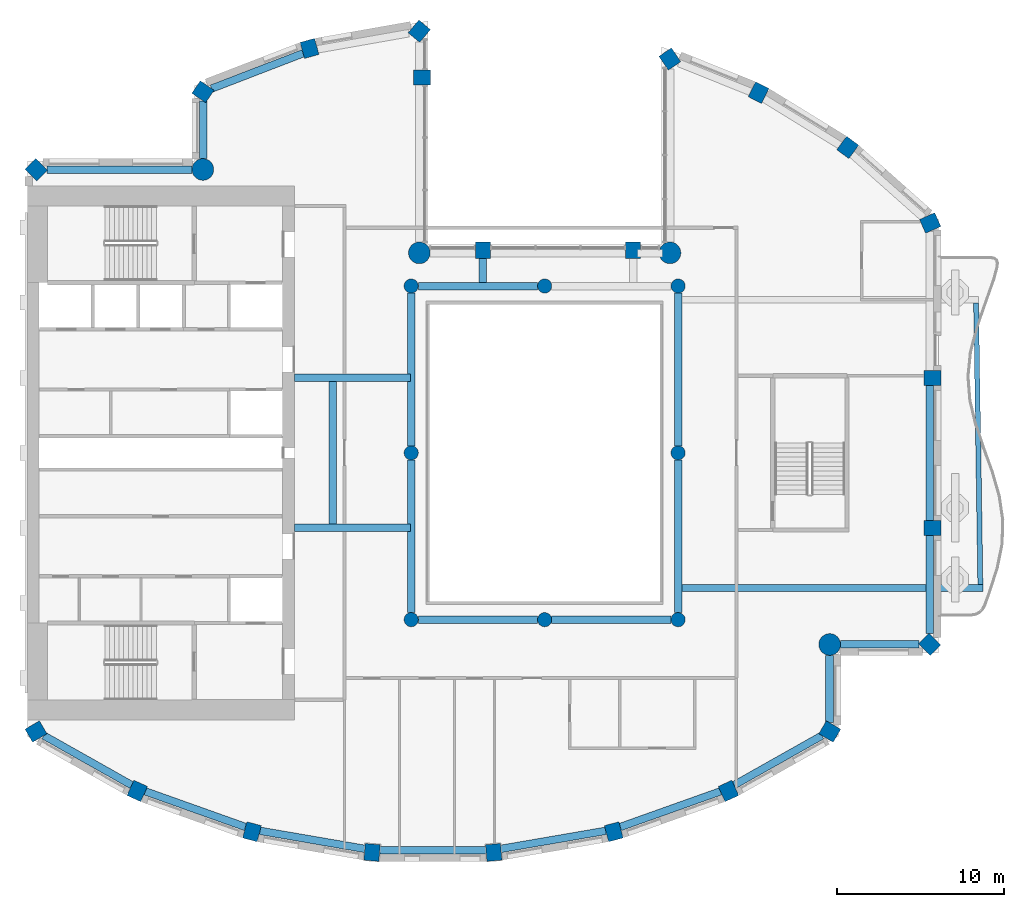
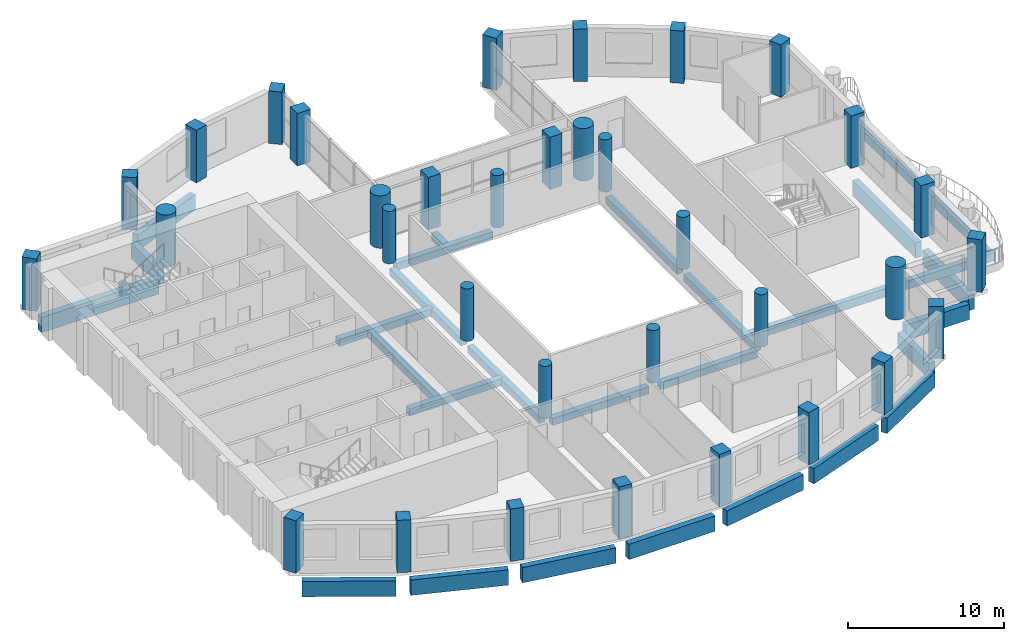
# One storey, part 1 of 14: 34 columns, 27 beams.
"""IFC4 building model written with IfcOpenShell, lengths in metres."""

import ifcopenshell
import ifcopenshell.guid

model = None  # the IFC model being written
_history = None  # IfcOwnerHistory: only IFC2X3 demands one
_inside = {}  # id of a spatial element -> (the spatial element, [elements in it])
_under = {}  # id of a project, library or spatial element -> (it, [spatial elements below it])
_declared = {}  # id of a project -> (the project, [libraries it declares])
_typed = {}  # id of a type object -> (the type object, [elements of that type])
_made_of = {}  # id of a material, layer set ... -> (it, [elements and type objects made of it])


def new_model(schema):
    """Start an empty IFC model of exactly this schema.

    Asked for "IFC4X3", IfcOpenShell would pick the latest addendum, in which some entities
    have other attributes; the version numbers below select the first issue.
    IFC2X3 requires an IfcOwnerHistory on every rooted entity: one is made here for all.
    """
    global model, _history
    if schema == "IFC4X3":
        model = ifcopenshell.file(schema_version=(4, 3, 0, 0))
    else:
        model = ifcopenshell.file(schema=schema)
    _inside.clear()
    _under.clear()
    _declared.clear()
    _typed.clear()
    _made_of.clear()
    _history = None
    if model.schema == "IFC2X3":
        org = make("IfcOrganization", Name="unknown")
        user = make(
            "IfcPersonAndOrganization",
            ThePerson=make("IfcPerson", FamilyName="unknown"),
            TheOrganization=org,
        )
        app = make(
            "IfcApplication",
            ApplicationDeveloper=org,
            Version="unknown",
            ApplicationFullName="unknown",
            ApplicationIdentifier="unknown",
        )
        _history = make(
            "IfcOwnerHistory",
            OwningUser=user,
            OwningApplication=app,
            ChangeAction="ADDED",
            CreationDate=0,
        )
    return model


def make(cls, **values):
    """One entity of the class cls with the attributes given. An attribute that is None is left unset."""
    return model.create_entity(
        cls, **{name: value for name, value in values.items() if value is not None}
    )


def rooted(cls, **values):
    """An entity with a GlobalId (a new one), such as an element, a storey or a relation."""
    return make(cls, GlobalId=ifcopenshell.guid.new(), OwnerHistory=_history, **values)


def si_unit(unit_type, name, prefix=None):
    """IfcSIUnit, for example si_unit("LENGTHUNIT", "METRE", prefix="MILLI")."""
    return make("IfcSIUnit", UnitType=unit_type, Prefix=prefix, Name=name)


def assignment(units):
    """IfcUnitAssignment: the units of a project."""
    return None if units is None else make("IfcUnitAssignment", Units=units)


def point(xyz):
    """IfcCartesianPoint."""
    return None if xyz is None else make("IfcCartesianPoint", Coordinates=xyz)


def direction(xyz):
    """IfcDirection."""
    return None if xyz is None else make("IfcDirection", DirectionRatios=xyz)


def frame(location, z_axis=None, x_axis=None):
    """IfcAxis2Placement3D, a coordinate frame: its origin and axes. An axis left out is left unset."""
    return make(
        "IfcAxis2Placement3D",
        Location=point(location),
        Axis=direction(z_axis),
        RefDirection=direction(x_axis),
    )


def frame_2d(location, x_axis=None):
    """IfcAxis2Placement2D, a coordinate frame in the plane: its origin and x axis."""
    return make(
        "IfcAxis2Placement2D", Location=point(location), RefDirection=direction(x_axis)
    )


def origin():
    """The frame at (0, 0, 0) with its axes left unset."""
    return frame((0.0, 0.0, 0.0))


def origin_2d():
    """The frame at (0, 0) in the plane with its x axis left unset."""
    return frame_2d((0.0, 0.0))


def place(relative_to, where):
    """IfcLocalPlacement: puts the frame where relative to a parent placement (None: the world)."""
    return make(
        "IfcLocalPlacement", PlacementRelTo=relative_to, RelativePlacement=where
    )


def context(
    kind, dimensions, precision=None, world=None, true_north=None, identifier=None
):
    """IfcGeometricRepresentationContext, for example the 3D "Model" context."""
    return make(
        "IfcGeometricRepresentationContext",
        ContextIdentifier=identifier,
        ContextType=kind,
        CoordinateSpaceDimension=dimensions,
        Precision=precision,
        WorldCoordinateSystem=world,
        TrueNorth=true_north,
    )


def subcontext(parent, identifier, kind, view, scale=None):
    """IfcGeometricRepresentationSubContext, for example "Body" below "Model"."""
    return make(
        "IfcGeometricRepresentationSubContext",
        ContextIdentifier=identifier,
        ContextType=kind,
        ParentContext=parent,
        TargetScale=scale,
        TargetView=view,
    )


def project(units=None, contexts=None):
    """IfcProject with its units and contexts."""
    return rooted(
        "IfcProject",
        Name="project",
        RepresentationContexts=contexts,
        UnitsInContext=assignment(units),
    )


def spatial(cls, under=None, at=None, **own):
    """A site, building, storey or space (cls), placed at a placement, below another one or the project."""
    s = rooted(cls, ObjectPlacement=at, **own)
    if under is not None:
        _under.setdefault(under.id(), (under, []))[1].append(s)
    return s


def profile(cls, at=None, kind="AREA", **sizes):
    """A parametric profile (cls). Its sizes go by their IFC names, for example OverallWidth=200.0."""
    return make(cls, ProfileType=kind, Position=at, **sizes)


def rectangle(**sizes):
    """IfcRectangleProfileDef."""
    return profile("IfcRectangleProfileDef", **sizes)


def circle(**sizes):
    """IfcCircleProfileDef."""
    return profile("IfcCircleProfileDef", **sizes)


def extrude(swept, where, along, depth):
    """IfcExtrudedAreaSolid: the profile swept, set in the frame where, extruded along a direction by depth."""
    return make(
        "IfcExtrudedAreaSolid",
        SweptArea=swept,
        Position=where,
        ExtrudedDirection=direction(along),
        Depth=depth,
    )


def shape(context_of_items, identifier, shape_type, items):
    """IfcShapeRepresentation: the items that make up one representation, for example the "Body"."""
    return make(
        "IfcShapeRepresentation",
        ContextOfItems=context_of_items,
        RepresentationIdentifier=identifier,
        RepresentationType=shape_type,
        Items=items,
    )


def material(Name=None, Category=None):
    """IfcMaterial."""
    return make("IfcMaterial", Name=Name, Category=Category)


def material_profile(
    of_material, cross_section, Name=None, Category=None, Priority=None
):
    """IfcMaterialProfile: a cross section and its material."""
    return make(
        "IfcMaterialProfile",
        Name=Name,
        Material=of_material,
        Profile=cross_section,
        Priority=Priority,
        Category=Category,
    )


def profile_set(profiles, Name=None, composite=None):
    """IfcMaterialProfileSet."""
    return make(
        "IfcMaterialProfileSet",
        Name=Name,
        MaterialProfiles=profiles,
        CompositeProfile=composite,
    )


def made_of(thing, what):
    """Note that an element or type object is made of a material, layer set ...; save() writes the relation."""
    if what is not None:
        _made_of.setdefault(what.id(), (what, []))[1].append(thing)
    return thing


def type_object(cls, material=None, **own):
    """A type object (cls), such as IfcWallType, which elements share."""
    return made_of(rooted(cls, **own), material)


def element(
    cls,
    number,
    at=None,
    inside=None,
    cuts=None,
    type_object=None,
    material=None,
    context=None,
    identifier="Body",
    shape_type=None,
    held_by="IfcProductDefinitionShape",
    body=None,
    shapes=None,
    **own,
):
    """One element of the class cls, such as IfcWall. Its Tag is "e" and its number.

    at: its placement. inside: the storey or other place that contains it. cuts: it is an
    opening in that element (IfcRelVoidsElement). A single representation is given by context,
    identifier, shape_type and body (its items); several are given by shapes. held_by: the class
    of the entity that holds the representations. save() writes the other relations.
    """
    e = rooted(cls, Tag="e%d" % number, ObjectPlacement=at, **own)
    if body is not None:
        shapes = [shape(context, identifier, shape_type, body)]
    if shapes is not None:
        e.Representation = make(held_by, Representations=shapes)
    if inside is not None:
        _inside.setdefault(inside.id(), (inside, []))[1].append(e)
    if cuts is not None:
        rooted(
            "IfcRelVoidsElement", RelatingBuildingElement=cuts, RelatedOpeningElement=e
        )
    if type_object is not None:
        _typed.setdefault(type_object.id(), (type_object, []))[1].append(e)
    return made_of(e, material)


def aggregate(whole, parts):
    """IfcRelAggregates: a whole, such as a stair, and the parts it consists of."""
    return rooted("IfcRelAggregates", RelatingObject=whole, RelatedObjects=parts)


def save(model, path):
    """Write the relations noted so far, then the file.

    IfcRelAggregates (storeys below a building ...), IfcRelContainedInSpatialStructure (elements
    in a storey), IfcRelDefinesByType, IfcRelAssociatesMaterial and IfcRelDeclares: one each for
    every whole, place, type object, material and project.
    """
    for whole, parts in _under.values():
        aggregate(whole, parts)
    for where, things in _inside.values():
        rooted(
            "IfcRelContainedInSpatialStructure",
            RelatedElements=things,
            RelatingStructure=where,
        )
    for kind, things in _typed.values():
        rooted("IfcRelDefinesByType", RelatedObjects=things, RelatingType=kind)
    for what, things in _made_of.values():
        rooted("IfcRelAssociatesMaterial", RelatedObjects=things, RelatingMaterial=what)
    for by, libraries in _declared.values():
        rooted("IfcRelDeclares", RelatingContext=by, RelatedDefinitions=libraries)
    model.write(path)


model = new_model("IFC4")

# Units and contexts
model_context = context("Model", 3, precision=1e-05, world=origin(), true_north=direction((0.0, 1.0)))
body_context = subcontext(model_context, "Body", "Model", "MODEL_VIEW")
ifc_project = project(units=[si_unit("LENGTHUNIT", "METRE"), si_unit("AREAUNIT", "SQUARE_METRE"), si_unit("VOLUMEUNIT", "CUBIC_METRE"), si_unit("PLANEANGLEUNIT", "RADIAN"), si_unit("MASSUNIT", "GRAM", prefix="KILO")], contexts=[model_context])

# Site, building, storey
site_placement = place(None, origin())
site = spatial("IfcSite", under=ifc_project, at=site_placement, CompositionType="ELEMENT")
building_placement = place(site_placement, origin())
building = spatial("IfcBuilding", under=site, at=building_placement, Name="Cypress Arch Tower", CompositionType="ELEMENT")
storey_placement = place(building_placement, frame((0.0, 0.0, 263.89990234375)))
storey = spatial("IfcBuildingStorey", under=building, at=storey_placement, Name="L59", CompositionType="ELEMENT", Elevation=263.89990234375)

# Columns
ifc_material_1 = material(Name="Concrete C60/75", Category="concrete")
ifc_material_profile_1 = material_profile(ifc_material_1, rectangle(XDim=0.89990234375, YDim=1.0, at=origin_2d()), Name="RC 900x1000")
ifc_profile_set_1 = profile_set([ifc_material_profile_1], Name="Concrete C60/75")
column_type_1 = type_object("IfcColumnType", Name="Column RC 900x1000 Concrete C60/75", PredefinedType="COLUMN", material=ifc_profile_set_1)
for number, where, z_axis, x_axis, name in (
    (1, (8.5029296875, 23.606201171875, 0.0), (0.0, 0.0, 1.0), (-0.828469606019, -0.560034027451, 0.0), "Column L59 CC00"),
    (2, (6.300048828125, 12.14990234375, 0.0), (0.0, 0.0, 1.0), (-1.0, 0.0, 0.0), "Column L59 CC02"),
    (3, (-2.699951171875, 12.14990234375, 0.0), (0.0, 0.0, 1.0), (-1.0, 0.0, 0.0), "Column L59 CC03"),
    (4, (-6.35009765625, 22.5, 0.0), (0.0, 0.0, 1.0), (0.0, 1.0, 0.0), "Column L59 CC05"),
    (5, (-6.51611328125, 25.27490234375, 0.0), (0.0, 0.0, 1.0), (-0.766063514674, 0.642764880407, 0.0), "Column L59 CC06"),
    (6, (-13.0947265625, 24.241455078125, 0.0), (0.0, 0.0, 1.0), (-0.96345574646, -0.267867550506, 0.0), "Column L59 CC07"),
    (7, (-19.483154296875, 21.645263671875, 0.0), (0.0, 0.0, 1.0), (-0.565892599589, -0.824478966215, 0.0), "Column L59 CC08"),
    (8, (-29.478271484375, 16.978271484375, 0.0), (0.0, 0.0, 1.0), (-0.707106781187, -0.707106781187, 0.0), "Column L59 CC10"),
    (9, (-29.4912109375, -16.702880859375, 0.0), (0.0, 0.0, 1.0), (0.504399289829, -0.86347053014, 0.0), "Column L59 CC11"),
    (10, (-23.4189453125, -20.266845703125, 0.0), (0.0, 0.0, 1.0), (0.909932071487, -0.414757308891, 0.0), "Column L59 CC12"),
    (11, (-16.541748046875, -22.714599609375, 0.0), (0.0, 0.0, 1.0), (0.96735573689, -0.2534223319, 0.0), "Column L59 CC13"),
    (12, (-9.346923828125, -23.95361328125, 0.0), (0.0, 0.0, 1.0), (0.996368206733, -0.085149260784, 0.0), "Column L59 CC14"),
    (13, (-2.052978515625, -23.95361328125, 0.0), (0.0, 0.0, 1.0), (0.996368206733, 0.085149260784, 0.0), "Column L59 CC15"),
    (14, (5.1416015625, -22.714599609375, 0.0), (0.0, 0.0, 1.0), (0.96735573689, 0.2534223319, 0.0), "Column L59 CC16"),
    (15, (12.01904296875, -20.266845703125, 0.0), (0.0, 0.0, 1.0), (0.909932071487, 0.414757308891, 0.0), "Column L59 CC17"),
    (16, (18.09130859375, -16.702880859375, 0.0), (0.0, 0.0, 1.0), (0.504399289829, 0.86347053014, 0.0), "Column L59 CC18"),
    (17, (24.078369140625, -11.478271484375, 0.0), (0.0, 0.0, 1.0), (0.707106781187, 0.707106781187, 0.0), "Column L59 CC20"),
    (18, (24.25, -4.5, 0.0), (0.0, 0.0, 1.0), (0.0, 1.0, 0.0), "Column L59 CC21"),
    (19, (24.25, 4.5, 0.0), (0.0, 0.0, 1.0), (0.0, 1.0, 0.0), "Column L59 CC22"),
    (20, (24.109619140625, 13.77978515625, 0.0), (0.0, 0.0, 1.0), (-0.409765058504, 0.912191096662, 0.0), "Column L59 CC23"),
    (21, (19.168212890625, 18.307861328125, 0.0), (0.0, 0.0, 1.0), (-0.802798546114, 0.596250362144, 0.0), "Column L59 CC24"),
    (22, (13.82568359375, 21.59375, 0.0), (0.0, 0.0, 1.0), (-0.893106499805, 0.44984528452, 0.0), "Column L59 CC25"),
):
    element("IfcColumn", number, at=place(storey_placement, frame(where, z_axis=z_axis, x_axis=x_axis)), inside=storey, type_object=column_type_1, Name=name, PredefinedType="COLUMN", context=body_context, shape_type="SweptSolid", body=[
        extrude(rectangle(XDim=0.89990234375, YDim=1.0, at=origin_2d()), origin(), (0.0, 0.0, 1.0), 4.10009765625),
    ])
ifc_material_2 = material(Name="Concrete C60/75", Category="concrete")
ifc_material_profile_2 = material_profile(ifc_material_2, circle(Radius=0.425048828125, at=origin_2d()), Name="RC D850")
ifc_profile_set_2 = profile_set([ifc_material_profile_2], Name="Concrete C60/75")
column_type_2 = type_object("IfcColumnType", Name="Column RC D850 Concrete C60/75", PredefinedType="COLUMN", material=ifc_profile_set_2)
for number, where, z_axis, x_axis, name in (
    (23, (-7.0, -10.0, 0.0), (0.0, 0.0, 1.0), (1.0, 0.0, 0.0), "Column L59 RNG-L59-G-7-10"),
    (24, (-7.0, 0.0, 0.0), (0.0, 0.0, 1.0), (1.0, 0.0, 0.0), "Column L59 RNG-L59-G-7+0"),
    (25, (-7.0, 10.0, 0.0), (0.0, 0.0, 1.0), (1.0, 0.0, 0.0), "Column L59 RNG-L59-G-7+10"),
    (26, (1.0, -10.0, 0.0), (0.0, 0.0, 1.0), (1.0, 0.0, 0.0), "Column L59 RNG-L59-G+1-10"),
    (27, (1.0, 10.0, 0.0), (0.0, 0.0, 1.0), (1.0, 0.0, 0.0), "Column L59 RNG-L59-G+1+10"),
    (28, (9.0, -10.0, 0.0), (0.0, 0.0, 1.0), (1.0, 0.0, 0.0), "Column L59 RNG-L59-G+9-10"),
    (29, (9.0, 0.0, 0.0), (0.0, 0.0, 1.0), (1.0, 0.0, 0.0), "Column L59 RNG-L59-G+9+0"),
    (30, (9.0, 10.0, 0.0), (0.0, 0.0, 1.0), (1.0, 0.0, 0.0), "Column L59 RNG-L59-G+9+10"),
):
    element("IfcColumn", number, at=place(storey_placement, frame(where, z_axis=z_axis, x_axis=x_axis)), inside=storey, type_object=column_type_2, Name=name, PredefinedType="COLUMN", context=body_context, shape_type="SweptSolid", body=[
        extrude(circle(Radius=0.425048828125, at=origin_2d()), origin(), (0.0, 0.0, 1.0), 4.10009765625),
    ])
ifc_material_3 = material(Name="Concrete C60/75", Category="concrete")
ifc_material_profile_3 = material_profile(ifc_material_3, circle(Radius=0.64990234375, at=origin_2d()), Name="RC D1300")
ifc_profile_set_3 = profile_set([ifc_material_profile_3], Name="Concrete C60/75")
column_type_3 = type_object("IfcColumnType", Name="Mega-column RC D1300 Concrete C60/75", PredefinedType="COLUMN", material=ifc_profile_set_3)
for number, where, z_axis, x_axis, name in (
    (31, (8.51220703125, 11.98779296875, 0.0), (0.0, 0.0, 1.0), (1.0, 0.0, 0.0), "Column L59 CC01"),
    (32, (-6.51220703125, 11.98779296875, 0.0), (0.0, 0.0, 1.0), (1.0, 0.0, 0.0), "Column L59 CC04"),
    (33, (-19.48779296875, 16.98779296875, 0.0), (0.0, 0.0, 1.0), (1.0, 0.0, 0.0), "Column L59 CC09"),
    (34, (18.087890625, -11.48779296875, 0.0), (0.0, 0.0, 1.0), (1.0, 0.0, 0.0), "Column L59 CC19"),
):
    element("IfcColumn", number, at=place(storey_placement, frame(where, z_axis=z_axis, x_axis=x_axis)), inside=storey, type_object=column_type_3, Name=name, PredefinedType="COLUMN", context=body_context, shape_type="SweptSolid", body=[
        extrude(circle(Radius=0.64990234375, at=origin_2d()), origin(), (0.0, 0.0, 1.0), 4.10009765625),
    ])

# Beams
ifc_material_4 = material(Name="Concrete C50/60", Category="concrete")
ifc_material_profile_4 = material_profile(ifc_material_4, rectangle(XDim=0.300048828125, YDim=0.64990234375, at=origin_2d()), Name="RC 300x650")
ifc_profile_set_4 = profile_set([ifc_material_profile_4], Name="Concrete C50/60")
beam_type_1 = type_object("IfcBeamType", Name="Balcony edge beam RC 300x650 Concrete C50/60", PredefinedType="BEAM", material=ifc_profile_set_4)
beam_1_placement = place(storey_placement, frame((27.117431640625, -7.89990234375, -0.625), z_axis=(-0.015037850532, 0.999886925133, 0.0), x_axis=(-0.999886925133, -0.015037850532, 0.0)))
element("IfcBeam", 35, at=beam_1_placement, inside=storey, type_object=beam_type_1, Name="Balcony edge beam L59 C17", PredefinedType="BEAM", context=body_context, shape_type="SweptSolid", body=[
    extrude(rectangle(XDim=0.300048828125, YDim=0.64990234375, at=origin_2d()), origin(), (0.0, 0.0, 1.0), 16.884521484375),
])
ifc_material_5 = material(Name="Concrete C50/60", Category="concrete")
ifc_material_profile_5 = material_profile(ifc_material_5, rectangle(XDim=0.39990234375, YDim=0.64990234375, at=origin_2d()), Name="RC 400x650")
ifc_profile_set_5 = profile_set([ifc_material_profile_5], Name="Concrete C50/60")
beam_type_2 = type_object("IfcBeamType", Name="Cantilever beam RC 400x650 Concrete C50/60", PredefinedType="BEAM", material=ifc_profile_set_5)
beam_2_placement = place(storey_placement, frame((9.22509765625, -8.10009765625, -0.625), z_axis=(1.0, 0.0, 0.0), x_axis=(0.0, 1.0, 0.0)))
element("IfcBeam", 36, at=beam_2_placement, inside=storey, type_object=beam_type_2, Name="Cantilever beam L59 C17 1", PredefinedType="BEAM", context=body_context, shape_type="SweptSolid", body=[
    extrude(rectangle(XDim=0.39990234375, YDim=0.64990234375, at=origin_2d()), origin(), (0.0, 0.0, 1.0), 18.04248046875),
])
ifc_material_6 = material(Name="Concrete C50/60", Category="concrete")
ifc_material_profile_6 = material_profile(ifc_material_6, rectangle(XDim=0.449951171875, YDim=0.550048828125, at=origin_2d()), Name="RC 450x550")
ifc_profile_set_6 = profile_set([ifc_material_profile_6], Name="Concrete C50/60")
beam_type_3 = type_object("IfcBeamType", Name="Floor beam RC 450x550 Concrete C50/60", PredefinedType="BEAM", material=ifc_profile_set_6)
for number, where, z_axis, x_axis, name in (
    (37, (-7.0, -9.574951171875, -0.574951171875), (0.0, 1.0, 0.0), (-1.0, 0.0, 0.0), "Floor beam L59 RB001"),
    (38, (-7.0, 0.425048828125, -0.574951171875), (0.0, 1.0, 0.0), (-1.0, 0.0, 0.0), "Floor beam L59 RB002"),
    (39, (9.0, -9.574951171875, -0.574951171875), (0.0, 1.0, 0.0), (-1.0, 0.0, 0.0), "Floor beam L59 RB003"),
    (40, (9.0, 0.425048828125, -0.574951171875), (0.0, 1.0, 0.0), (-1.0, 0.0, 0.0), "Floor beam L59 RB004"),
):
    element("IfcBeam", number, at=place(storey_placement, frame(where, z_axis=z_axis, x_axis=x_axis)), inside=storey, type_object=beam_type_3, Name=name, PredefinedType="BEAM", context=body_context, shape_type="SweptSolid", body=[
        extrude(rectangle(XDim=0.449951171875, YDim=0.550048828125, at=origin_2d()), origin(), (0.0, 0.0, 1.0), 9.14990234375),
    ])
for number, where, z_axis, x_axis, name in (
    (41, (-6.574951171875, -10.0, -0.574951171875), (1.0, 0.0, 0.0), (0.0, 1.0, 0.0), "Floor beam L59 RB005"),
    (42, (1.425048828125, -10.0, -0.574951171875), (1.0, 0.0, 0.0), (0.0, 1.0, 0.0), "Floor beam L59 RB006"),
    (43, (-6.574951171875, 10.0, -0.574951171875), (1.0, 0.0, 0.0), (0.0, 1.0, 0.0), "Floor beam L59 RB007"),
):
    element("IfcBeam", number, at=place(storey_placement, frame(where, z_axis=z_axis, x_axis=x_axis)), inside=storey, type_object=beam_type_3, Name=name, PredefinedType="BEAM", context=body_context, shape_type="SweptSolid", body=[
        extrude(rectangle(XDim=0.449951171875, YDim=0.550048828125, at=origin_2d()), origin(), (0.0, 0.0, 1.0), 7.14990234375),
    ])
for number, where, z_axis, x_axis, name in (
    (44, (-14.0, -4.5, -0.574951171875), (1.0, 0.0, 0.0), (0.0, 1.0, 0.0), "Floor beam L59 FB009"),
    (45, (-14.0, 4.5, -0.574951171875), (1.0, 0.0, 0.0), (0.0, 1.0, 0.0), "Floor beam L59 FB010"),
):
    element("IfcBeam", number, at=place(storey_placement, frame(where, z_axis=z_axis, x_axis=x_axis)), inside=storey, type_object=beam_type_3, Name=name, PredefinedType="BEAM", context=body_context, shape_type="SweptSolid", body=[
        extrude(rectangle(XDim=0.449951171875, YDim=0.550048828125, at=origin_2d()), origin(), (0.0, 0.0, 1.0), 6.949951171875),
    ])
beam_3_placement = place(storey_placement, frame((-11.699951171875, -4.27490234375, -0.574951171875), z_axis=(0.0, 1.0, 0.0), x_axis=(-1.0, 0.0, 0.0)))
element("IfcBeam", 46, at=beam_3_placement, inside=storey, type_object=beam_type_3, Name="Floor beam L59 FB011", PredefinedType="BEAM", context=body_context, shape_type="SweptSolid", body=[
    extrude(rectangle(XDim=0.449951171875, YDim=0.550048828125, at=origin_2d()), origin(), (0.0, 0.0, 1.0), 8.5498046875),
])
beam_4_placement = place(storey_placement, frame((-2.699951171875, 10.22509765625, -0.574951171875), z_axis=(0.0, 1.0, 0.0), x_axis=(-1.0, 0.0, 0.0)))
element("IfcBeam", 47, at=beam_4_placement, inside=storey, type_object=beam_type_3, Name="Floor beam L59 FB012", PredefinedType="BEAM", context=body_context, shape_type="SweptSolid", body=[
    extrude(rectangle(XDim=0.449951171875, YDim=0.550048828125, at=origin_2d()), origin(), (0.0, 0.0, 1.0), 1.4248046875),
])
ifc_material_7 = material(Name="Concrete C50/60", Category="concrete")
ifc_material_profile_7 = material_profile(ifc_material_7, rectangle(XDim=0.449951171875, YDim=1.199951171875, at=origin_2d()), Name="RC 450x1200")
ifc_profile_set_7 = profile_set([ifc_material_profile_7], Name="Concrete C50/60")
beam_type_4 = type_object("IfcBeamType", Name="Spandrel beam RC 450x1200 Concrete C50/60", PredefinedType="SPANDREL", material=ifc_profile_set_7)
beam_5_placement = place(storey_placement, frame((-13.48046875, 23.94921875, -1.5498046875), z_axis=(-0.933138853319, -0.359516175472, 0.0), x_axis=(0.359516175472, -0.933138853319, 0.0)))
element("IfcBeam", 48, at=beam_5_placement, inside=storey, type_object=beam_type_4, Name="Spandrel beam L59 BC04-0", PredefinedType="SPANDREL", context=body_context, shape_type="SweptSolid", body=[
    extrude(rectangle(XDim=0.449951171875, YDim=1.199951171875, at=origin_2d()), origin(), (0.0, 0.0, 1.0), 5.878173828125),
])
beam_6_placement = place(storey_placement, frame((-19.47509765625, 21.09375, -1.5498046875), z_axis=(0.0, -1.0, 0.0), x_axis=(1.0, 0.0, 0.0)))
element("IfcBeam", 49, at=beam_6_placement, inside=storey, type_object=beam_type_4, Name="Spandrel beam L59 BC05-0", PredefinedType="SPANDREL", context=body_context, shape_type="SweptSolid", body=[
    extrude(rectangle(XDim=0.449951171875, YDim=1.199951171875, at=origin_2d()), origin(), (0.0, 0.0, 1.0), 3.456298828125),
])
beam_7_placement = place(storey_placement, frame((-20.137451171875, 16.97509765625, -1.5498046875), z_axis=(-1.0, 0.0, 0.0), x_axis=(0.0, -1.0, 0.0)))
element("IfcBeam", 50, at=beam_7_placement, inside=storey, type_object=beam_type_4, Name="Spandrel beam L59 BC06-0", PredefinedType="SPANDREL", context=body_context, shape_type="SweptSolid", body=[
    extrude(rectangle(XDim=0.449951171875, YDim=1.199951171875, at=origin_2d()), origin(), (0.0, 0.0, 1.0), 8.701171875),
])
beam_8_placement = place(storey_placement, frame((-29.02099609375, -16.94921875, -1.5498046875), z_axis=(0.871059543975, -0.491177433165, 0.0), x_axis=(0.491177433165, 0.871059543975, 0.0)))
element("IfcBeam", 51, at=beam_8_placement, inside=storey, type_object=beam_type_4, Name="Spandrel beam L59 BC08-0", PredefinedType="SPANDREL", context=body_context, shape_type="SweptSolid", body=[
    extrude(rectangle(XDim=0.449951171875, YDim=1.199951171875, at=origin_2d()), origin(), (0.0, 0.0, 1.0), 6.045654296875),
])
beam_9_placement = place(storey_placement, frame((-22.93603515625, -20.2919921875, -1.5498046875), z_axis=(0.942120065582, -0.33527568064, 0.0), x_axis=(0.33527568064, 0.942120065582, 0.0)))
element("IfcBeam", 52, at=beam_9_placement, inside=storey, type_object=beam_type_4, Name="Spandrel beam L59 BC09-0", PredefinedType="SPANDREL", context=body_context, shape_type="SweptSolid", body=[
    extrude(rectangle(XDim=0.449951171875, YDim=1.199951171875, at=origin_2d()), origin(), (0.0, 0.0, 1.0), 6.373046875),
])
beam_10_placement = place(storey_placement, frame((-16.061279296875, -22.656982421875, -1.5498046875), z_axis=(0.985502990778, -0.169658053646, 0.0), x_axis=(0.169658053646, 0.985502990778, 0.0)))
element("IfcBeam", 53, at=beam_10_placement, inside=storey, type_object=beam_type_4, Name="Spandrel beam L59 BC10-0", PredefinedType="SPANDREL", context=body_context, shape_type="SweptSolid", body=[
    extrude(rectangle(XDim=0.449951171875, YDim=1.199951171875, at=origin_2d()), origin(), (0.0, 0.0, 1.0), 6.373291015625),
])
beam_11_placement = place(storey_placement, frame((-8.883544921875, -23.81494140625, -1.5498046875), z_axis=(1.0, 0.0, 0.0), x_axis=(0.0, 1.0, 0.0)))
element("IfcBeam", 54, at=beam_11_placement, inside=storey, type_object=beam_type_4, Name="Spandrel beam L59 BC11-0", PredefinedType="SPANDREL", context=body_context, shape_type="SweptSolid", body=[
    extrude(rectangle(XDim=0.449951171875, YDim=1.199951171875, at=origin_2d()), origin(), (0.0, 0.0, 1.0), 6.366943359375),
])
beam_12_placement = place(storey_placement, frame((-1.619873046875, -23.73828125, -1.5498046875), z_axis=(0.985504093315, 0.169651649149, 0.0), x_axis=(-0.169651649149, 0.985504093315, 0.0)))
element("IfcBeam", 55, at=beam_12_placement, inside=storey, type_object=beam_type_4, Name="Spandrel beam L59 BC12-0", PredefinedType="SPANDREL", context=body_context, shape_type="SweptSolid", body=[
    extrude(rectangle(XDim=0.449951171875, YDim=1.199951171875, at=origin_2d()), origin(), (0.0, 0.0, 1.0), 6.37353515625),
])
beam_13_placement = place(storey_placement, frame((5.531982421875, -22.4287109375, -1.5498046875), z_axis=(0.942115759102, 0.335287781541, 0.0), x_axis=(-0.335287781541, 0.942115759102, 0.0)))
element("IfcBeam", 56, at=beam_13_placement, inside=storey, type_object=beam_type_4, Name="Spandrel beam L59 BC13-0", PredefinedType="SPANDREL", context=body_context, shape_type="SweptSolid", body=[
    extrude(rectangle(XDim=0.449951171875, YDim=1.199951171875, at=origin_2d()), origin(), (0.0, 0.0, 1.0), 6.372802734375),
])
beam_14_placement = place(storey_placement, frame((12.35498046875, -19.918701171875, -1.5498046875), z_axis=(0.871059543975, 0.491177433165, 0.0), x_axis=(-0.491177433165, 0.871059543975, 0.0)))
element("IfcBeam", 57, at=beam_14_placement, inside=storey, type_object=beam_type_4, Name="Spandrel beam L59 BC14-0", PredefinedType="SPANDREL", context=body_context, shape_type="SweptSolid", body=[
    extrude(rectangle(XDim=0.449951171875, YDim=1.199951171875, at=origin_2d()), origin(), (0.0, 0.0, 1.0), 6.045654296875),
])
beam_15_placement = place(storey_placement, frame((18.074951171875, -16.172119140625, -1.5498046875), z_axis=(0.0, 1.0, 0.0), x_axis=(-1.0, 0.0, 0.0)))
element("IfcBeam", 58, at=beam_15_placement, inside=storey, type_object=beam_type_4, Name="Spandrel beam L59 BC15-0", PredefinedType="SPANDREL", context=body_context, shape_type="SweptSolid", body=[
    extrude(rectangle(XDim=0.449951171875, YDim=1.199951171875, at=origin_2d()), origin(), (0.0, 0.0, 1.0), 4.03466796875),
])
beam_16_placement = place(storey_placement, frame((18.737548828125, -11.47509765625, -1.5498046875), z_axis=(1.0, 0.0, 0.0), x_axis=(0.0, 1.0, 0.0)))
element("IfcBeam", 59, at=beam_16_placement, inside=storey, type_object=beam_type_4, Name="Spandrel beam L59 BC16-0", PredefinedType="SPANDREL", context=body_context, shape_type="SweptSolid", body=[
    extrude(rectangle(XDim=0.449951171875, YDim=1.199951171875, at=origin_2d()), origin(), (0.0, 0.0, 1.0), 4.701171875),
])
beam_17_placement = place(storey_placement, frame((24.074951171875, -10.838623046875, -1.5498046875), z_axis=(0.0, 1.0, 0.0), x_axis=(-1.0, 0.0, 0.0)))
element("IfcBeam", 60, at=beam_17_placement, inside=storey, type_object=beam_type_4, Name="Spandrel beam L59 BC17-0", PredefinedType="SPANDREL", context=body_context, shape_type="SweptSolid", body=[
    extrude(rectangle(XDim=0.449951171875, YDim=1.199951171875, at=origin_2d()), origin(), (0.0, 0.0, 1.0), 5.888671875),
])
beam_18_placement = place(storey_placement, frame((24.074951171875, -4.050048828125, -1.5498046875), z_axis=(0.0, 1.0, 0.0), x_axis=(-1.0, 0.0, 0.0)))
element("IfcBeam", 61, at=beam_18_placement, inside=storey, type_object=beam_type_4, Name="Spandrel beam L59 BC17-1", PredefinedType="SPANDREL", context=body_context, shape_type="SweptSolid", body=[
    extrude(rectangle(XDim=0.449951171875, YDim=1.199951171875, at=origin_2d()), origin(), (0.0, 0.0, 1.0), 8.10009765625),
])

save(model, "model.ifc")
